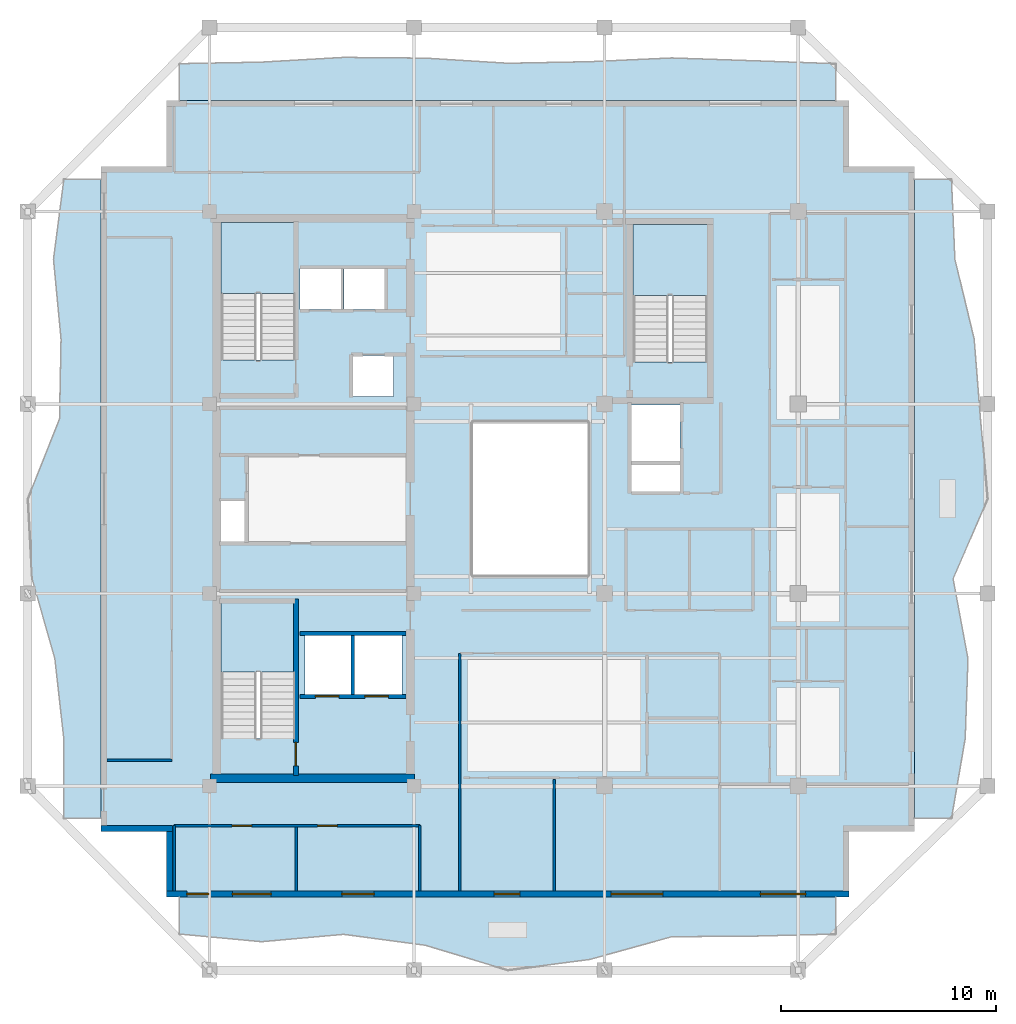
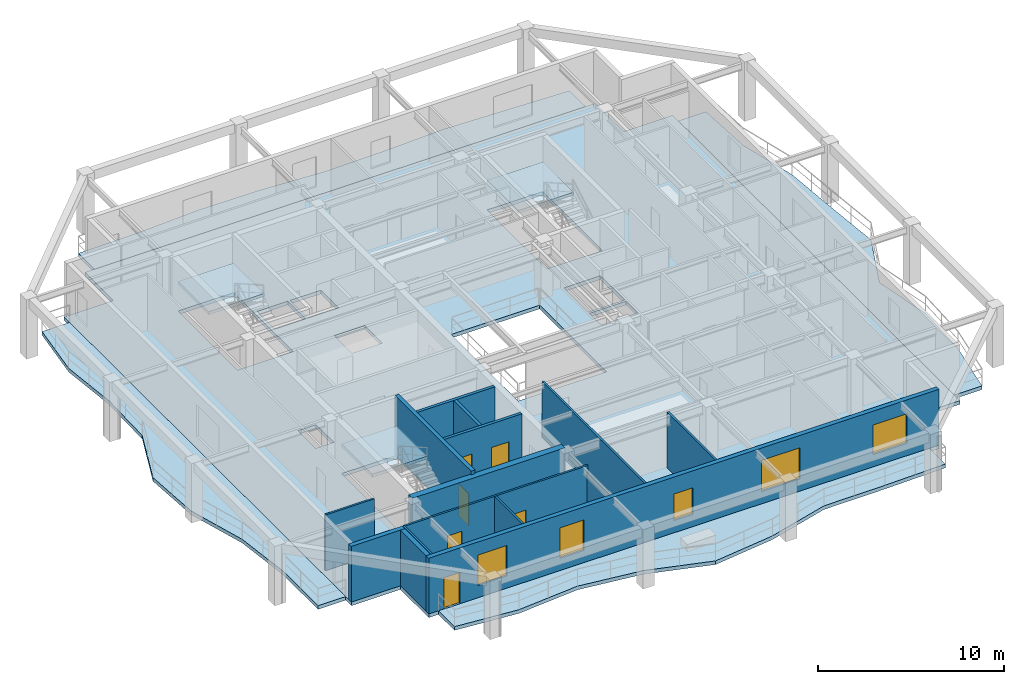
# One storey, part 2 of 10: 15 walls, 8 slabs, 6 doors, 5 windows, 11 openings, 3 elements without a shape of their own.
"""IFC4 building model written with IfcOpenShell, lengths in metres."""

from ifc_helpers import new_model, si_unit, direction, frame, frame_2d, origin, place, context, subcontext, project, spatial, polyline, rectangle, outline, extrude, material, layer, layer_set, type_object, element, fill, aggregate, save


model = new_model("IFC4")

# Units and contexts
model_context = context("Model", 3, precision=1e-05, world=origin(), true_north=direction((0.0, 1.0)))
body_context = subcontext(model_context, "Body", "Model", "MODEL_VIEW")
ifc_project = project(units=[si_unit("LENGTHUNIT", "METRE"), si_unit("AREAUNIT", "SQUARE_METRE"), si_unit("VOLUMEUNIT", "CUBIC_METRE"), si_unit("PLANEANGLEUNIT", "RADIAN"), si_unit("MASSUNIT", "GRAM", prefix="KILO")], contexts=[model_context])

# Site, building, storey
site_placement = place(None, origin())
site = spatial("IfcSite", under=ifc_project, at=site_placement, CompositionType="ELEMENT")
building_placement = place(site_placement, origin())
building = spatial("IfcBuilding", under=site, at=building_placement, Name="Kundavana Baori Tower", CompositionType="ELEMENT")
storey_placement = place(building_placement, frame((0.0, 0.0, 292.10009765625)))
storey = spatial("IfcBuildingStorey", under=building, at=storey_placement, Name="L72", CompositionType="ELEMENT", Elevation=292.10009765625)

# Slab
ifc_material_1 = material(Name="Concrete C40/50", Category="concrete")
ifc_layer_1 = layer(ifc_material_1, 0.239990234375, Name="SLB-FLR-240")
ifc_layer_set_1 = layer_set([ifc_layer_1], Name="Concrete C40/50")
slab_type_1 = type_object("IfcSlabType", Name="SLB-FLR-240", PredefinedType="FLOOR", material=ifc_layer_set_1)
slab_1_placement = place(storey_placement, frame((0.0, 0.0, -0.239990234375)))
element("IfcSlab", 1, at=slab_1_placement, inside=storey, type_object=slab_type_1, Name="L72 Structural Floor Slab", PredefinedType="FLOOR", context=body_context, shape_type="SweptSolid", body=[
    extrude(outline(polyline([(13.449951171875, 10.10009765625), (45.14990234375, 10.10009765625), (45.14990234375, 13.14990234375), (48.199951171875, 13.14990234375), (48.199951171875, 44.050048828125), (45.14990234375, 44.050048828125), (45.14990234375, 47.10009765625), (13.449951171875, 47.10009765625), (13.449951171875, 44.050048828125), (10.39990234375, 44.050048828125), (10.39990234375, 13.14990234375), (13.449951171875, 13.14990234375), (13.449951171875, 10.10009765625)]), holes=[polyline([(19.43994140625, 17.4619140625), (19.43994140625, 23.85009765625), (15.97998046875, 23.85009765625), (15.97998046875, 17.4619140625), (19.43994140625, 17.4619140625)]), polyline([(19.43994140625, 35.06201171875), (19.43994140625, 41.449951171875), (15.97998046875, 41.449951171875), (15.97998046875, 35.06201171875), (19.43994140625, 35.06201171875)]), polyline([(38.580078125, 34.9619140625), (38.580078125, 41.35009765625), (35.1201171875, 41.35009765625), (35.1201171875, 34.9619140625), (38.580078125, 34.9619140625)]), polyline([(19.64990234375, 37.39990234375), (21.550048828125, 37.39990234375), (21.550048828125, 39.300048828125), (19.64990234375, 39.300048828125), (19.64990234375, 37.39990234375)]), polyline([(21.699951171875, 37.39990234375), (23.60009765625, 37.39990234375), (23.60009765625, 39.300048828125), (21.699951171875, 39.300048828125), (21.699951171875, 37.39990234375)]), polyline([(22.10009765625, 33.35009765625), (24.0, 33.35009765625), (24.0, 35.25), (22.10009765625, 35.25), (22.10009765625, 33.35009765625)]), polyline([(19.8798828125, 19.5), (22.02001953125, 19.5), (22.02001953125, 22.25), (19.8798828125, 22.25), (19.8798828125, 19.5)]), polyline([(22.179931640625, 19.5), (24.3798828125, 19.5), (24.3798828125, 22.25), (22.179931640625, 22.25), (22.179931640625, 19.5)]), polyline([(35.050048828125, 30.35009765625), (37.300048828125, 30.35009765625), (37.300048828125, 32.949951171875), (35.050048828125, 32.949951171875), (35.050048828125, 30.35009765625)]), polyline([(15.949951171875, 26.60009765625), (17.080078125, 26.60009765625), (17.080078125, 28.5), (15.949951171875, 28.5), (15.949951171875, 26.60009765625)]), polyline([(35.050048828125, 28.949951171875), (37.300048828125, 28.949951171875), (37.300048828125, 30.199951171875), (35.050048828125, 30.199951171875), (35.050048828125, 28.949951171875)]), polyline([(27.60009765625, 25.0), (33.10009765625, 25.0), (33.10009765625, 32.199951171875), (27.60009765625, 32.199951171875), (27.60009765625, 25.0)])]), origin(), (0.0, 0.0, 1.0), 0.239990234375),
])

# Stair, slab
ifc_material_2 = material(Name="Concrete C40/50", Category="concrete")
stair_type = type_object("IfcStairType", Name="STR-DOG-1650", PredefinedType="HALF_TURN_STAIR", material=ifc_material_2)
stair_1_placement = place(storey_placement, origin())
stair_1 = element("IfcStair", 2, at=stair_1_placement, inside=storey, type_object=stair_type, Name="L72 Protected Exit Stair ST1", PredefinedType="HALF_TURN_STAIR")
ifc_material_3 = material(Name="Concrete C40/50", Category="concrete")
ifc_layer_2 = layer(ifc_material_3, 0.199951171875, Name="SLB-LND-200")
ifc_layer_set_2 = layer_set([ifc_layer_2], Name="Concrete C40/50")
slab_type_2 = type_object("IfcSlabType", Name="SLB-LND-200", PredefinedType="LANDING", material=ifc_layer_set_2)
slab_2_placement = place(storey_placement, frame((0.0, 0.0, 1.75)))
slab_2 = element("IfcSlab", 3, at=slab_2_placement, type_object=slab_type_2, Name="ST1 landing 1", PredefinedType="LANDING", context=body_context, shape_type="SweptSolid", body=[
    extrude(outline(polyline([(19.43994140625, 20.550048828125), (19.43994140625, 23.85009765625), (15.97998046875, 23.85009765625), (15.97998046875, 20.550048828125), (19.43994140625, 20.550048828125)])), origin(), (0.0, 0.0, 1.0), 0.199951171875),
])
aggregate(stair_1, [slab_2])

stair_2_placement = place(storey_placement, origin())
stair_2 = element("IfcStair", 4, at=stair_2_placement, inside=storey, type_object=stair_type, Name="L72 Protected Exit Stair ST2", PredefinedType="HALF_TURN_STAIR")
slab_3_placement = place(storey_placement, frame((0.0, 0.0, 1.75)))
slab_3 = element("IfcSlab", 5, at=slab_3_placement, type_object=slab_type_2, Name="ST2 landing 1", PredefinedType="LANDING", context=body_context, shape_type="SweptSolid", body=[
    extrude(outline(polyline([(19.43994140625, 38.14990234375), (19.43994140625, 41.449951171875), (15.97998046875, 41.449951171875), (15.97998046875, 38.14990234375), (19.43994140625, 38.14990234375)])), origin(), (0.0, 0.0, 1.0), 0.199951171875),
])
aggregate(stair_2, [slab_3])

stair_3_placement = place(storey_placement, origin())
stair_3 = element("IfcStair", 6, at=stair_3_placement, inside=storey, type_object=stair_type, Name="L72 Protected Exit Stair ST3", PredefinedType="HALF_TURN_STAIR")
slab_4_placement = place(storey_placement, frame((0.0, 0.0, 1.75)))
slab_4 = element("IfcSlab", 7, at=slab_4_placement, type_object=slab_type_2, Name="ST3 landing 1", PredefinedType="LANDING", context=body_context, shape_type="SweptSolid", body=[
    extrude(outline(polyline([(38.580078125, 38.050048828125), (38.580078125, 41.35009765625), (35.1201171875, 41.35009765625), (35.1201171875, 38.050048828125), (38.580078125, 38.050048828125)])), origin(), (0.0, 0.0, 1.0), 0.199951171875),
])
aggregate(stair_3, [slab_4])

# Slabs
ifc_material_4 = material(Name="Concrete C40/50", Category="concrete")
ifc_layer_3 = layer(ifc_material_4, 0.239990234375, Name="SLB-LOG-240")
ifc_layer_set_3 = layer_set([ifc_layer_3], Name="Concrete C40/50")
slab_type_3 = type_object("IfcSlabType", Name="SLB-LOG-240", PredefinedType="FLOOR", material=ifc_layer_set_3)
slab_5_placement = place(storey_placement, frame((0.0, 0.0, -0.239990234375)))
element("IfcSlab", 8, at=slab_5_placement, inside=storey, type_object=slab_type_3, Name="L72 Planted Loggia Balcony Slab S", PredefinedType="FLOOR", context=body_context, shape_type="SweptSolid", body=[
    extrude(outline(polyline([(14.050048828125, 10.10009765625), (44.550048828125, 10.10009765625), (44.550048828125, 8.3798828125), (40.737060546875, 8.282958984375), (36.925048828125, 8.2548828125), (33.112060546875, 7.197998046875), (29.300048828125, 6.699951171875), (25.487060546875, 7.85595703125), (21.675048828125, 8.365966796875), (17.863037109375, 8.02294921875), (14.050048828125, 8.3798828125), (14.050048828125, 10.10009765625)])), origin(), (0.0, 0.0, 1.0), 0.239990234375),
])
slab_6_placement = place(storey_placement, frame((0.0, 0.0, -0.239990234375)))
element("IfcSlab", 9, at=slab_6_placement, inside=storey, type_object=slab_type_3, Name="L72 Planted Loggia Balcony Slab E", PredefinedType="FLOOR", context=body_context, shape_type="SweptSolid", body=[
    extrude(outline(polyline([(48.199951171875, 13.75), (48.199951171875, 43.449951171875), (49.919921875, 43.449951171875), (50.0791015625, 39.738037109375), (50.97607421875, 36.02490234375), (51.26806640625, 32.31201171875), (51.60009765625, 28.60009765625), (49.99609375, 24.887939453125), (50.68798828125, 21.175048828125), (50.55908203125, 17.4619140625), (49.919921875, 13.75), (48.199951171875, 13.75)])), origin(), (0.0, 0.0, 1.0), 0.239990234375),
])
slab_7_placement = place(storey_placement, frame((0.0, 0.0, -0.239990234375)))
element("IfcSlab", 10, at=slab_7_placement, inside=storey, type_object=slab_type_3, Name="L72 Planted Loggia Balcony Slab N", PredefinedType="FLOOR", context=body_context, shape_type="SweptSolid", body=[
    extrude(outline(polyline([(44.550048828125, 47.10009765625), (14.050048828125, 47.10009765625), (14.050048828125, 48.820068359375), (17.863037109375, 48.89208984375), (21.675048828125, 49.113037109375), (25.487060546875, 49.076904296875), (29.300048828125, 48.840087890625), (33.112060546875, 48.912109375), (36.925048828125, 49.0859375), (40.737060546875, 48.9560546875), (44.550048828125, 48.820068359375), (44.550048828125, 47.10009765625)])), origin(), (0.0, 0.0, 1.0), 0.239990234375),
])
slab_8_placement = place(storey_placement, frame((0.0, 0.0, -0.239990234375)))
element("IfcSlab", 11, at=slab_8_placement, inside=storey, type_object=slab_type_3, Name="L72 Planted Loggia Balcony Slab W", PredefinedType="FLOOR", context=body_context, shape_type="SweptSolid", body=[
    extrude(outline(polyline([(10.39990234375, 43.449951171875), (10.39990234375, 13.75), (8.679931640625, 13.75), (8.676025390625, 17.4619140625), (8.260009765625, 21.175048828125), (7.2041015625, 24.887939453125), (7.0, 28.60009765625), (8.47607421875, 32.31201171875), (8.548095703125, 36.02490234375), (8.196044921875, 39.738037109375), (8.679931640625, 43.449951171875), (10.39990234375, 43.449951171875)])), origin(), (0.0, 0.0, 1.0), 0.239990234375),
])

# Wall
ifc_material_5 = material(Name="Concrete C50/60", Category="concrete")
ifc_layer_4 = layer(ifc_material_5, 0.39990234375, Name="WL-CORE-400")
ifc_layer_set_4 = layer_set([ifc_layer_4], Name="Concrete C50/60")
wall_type_1 = type_object("IfcWallType", Name="WL-CORE-400", PredefinedType="SHEAR", material=ifc_layer_set_4)
wall_1_placement = place(storey_placement, frame((15.5, 15.610107421875, 0.0), z_axis=(0.0, 0.0, 1.0), x_axis=(1.0, 0.0, 0.0)))
element("IfcWall", 12, at=wall_1_placement, inside=storey, type_object=wall_type_1, Name="L72 Offset Core South Shear Wall", PredefinedType="SHEAR", context=body_context, shape_type="SweptSolid", body=[
    extrude(rectangle(XDim=9.47998046875, YDim=0.39990234375, at=frame_2d((4.739990234375, 0.0))), origin(), (0.0, 0.0, 1.0), 3.659912109375),
])

# Wall, opening, door
wall_2_placement = place(storey_placement, frame((19.4599609375, 15.739990234375, 0.0), z_axis=(0.0, 0.0, 1.0), x_axis=(0.0, 1.0, 0.0)))
wall_2 = element("IfcWall", 13, at=wall_2_placement, inside=storey, type_object=wall_type_1, Name="WL-L72-ST1-E", PredefinedType="SHEAR", context=body_context, shape_type="SweptSolid", body=[
    extrude(rectangle(XDim=8.199951171875, YDim=0.239990234375, at=frame_2d((4.10009765625, 0.0))), origin(), (0.0, 0.0, 1.0), 3.89990234375),
])
opening_1_placement = place(wall_2_placement, frame((0.449951171875, 0.0, 0.0)))
opening_1 = element("IfcOpeningElement", 14, at=opening_1_placement, cuts=wall_2, Name="Opening FD-110", PredefinedType="OPENING", context=body_context, shape_type="SweptSolid", body=[
    extrude(rectangle(XDim=1.10009765625, YDim=2.10009765625, at=frame_2d((0.550048828125, 1.050048828125))), frame((0.0, 0.1298828125, 0.0), z_axis=(0.0, -1.0, 0.0), x_axis=(1.0, 0.0, 0.0)), (0.0, 0.0, 1.0), 0.260009765625),
])
ifc_material_6 = material(Name="Galvanised Steel Fire-Rated Door Leaf", Category="steel")
door_type_1 = type_object("IfcDoorType", Name="DR-FD120-1100", OperationType="NOTDEFINED", PredefinedType="DOOR", material=ifc_material_6)
door_1_placement = place(opening_1_placement, origin())
door_1 = element("IfcDoor", 15, at=door_1_placement, inside=storey, type_object=door_type_1, Name="DR-L72-ST1", OperationType="SINGLE_SWING_LEFT", OverallHeight=2.10009765625, OverallWidth=1.10009765625, PredefinedType="DOOR", context=body_context, shape_type="SweptSolid", body=[
    extrude(rectangle(XDim=1.10009765625, YDim=2.10009765625, at=frame_2d((0.550048828125, 1.050048828125))), frame((0.0, 0.02490234375, 0.0), z_axis=(0.0, -1.0, 0.0), x_axis=(1.0, 0.0, 0.0)), (0.0, 0.0, 1.0), 0.050048828125),
])
fill(opening_1, door_1)

# Wall, openings, door, windows
ifc_material_7 = material(Name="Red-Buff Dholpur Sandstone Cladding on Concrete C40/50", Category="masonry")
ifc_layer_5 = layer(ifc_material_7, 0.280029296875, Name="WL-EXT-SAND-280")
ifc_layer_set_5 = layer_set([ifc_layer_5], Name="Red-Buff Dholpur Sandstone Cladding on Concrete C40/50")
wall_type_2 = type_object("IfcWallType", Name="WL-EXT-SAND-280", PredefinedType="STANDARD", material=ifc_layer_set_5)
wall_3_placement = place(storey_placement, frame((13.449951171875, 10.239990234375, 0.0), z_axis=(0.0, 0.0, 1.0), x_axis=(1.0, 0.0, 0.0)))
wall_3 = element("IfcWall", 16, at=wall_3_placement, inside=storey, type_object=wall_type_2, Name="L72 Exterior Insulated Facade Wall 01", PredefinedType="STANDARD", context=body_context, shape_type="SweptSolid", body=[
    extrude(rectangle(XDim=31.699951171875, YDim=0.280029296875, at=frame_2d((15.85009765625, 0.0))), origin(), (0.0, 0.0, 1.0), 3.659912109375),
])
opening_2_placement = place(wall_3_placement, frame((0.949951171875, 0.0, 0.0)))
opening_2 = element("IfcOpeningElement", 17, at=opening_2_placement, cuts=wall_3, Name="Opening BD-1", PredefinedType="OPENING", context=body_context, shape_type="SweptSolid", body=[
    extrude(rectangle(XDim=1.0, YDim=2.050048828125, at=frame_2d((0.5, 1.02490234375))), frame((0.0, 0.14990234375, 0.0), z_axis=(0.0, -1.0, 0.0), x_axis=(1.0, 0.0, 0.0)), (0.0, 0.0, 1.0), 0.300048828125),
])
opening_3_placement = place(wall_3_placement, frame((3.06005859375, 0.0, 0.800048828125)))
opening_3 = element("IfcOpeningElement", 18, at=opening_3_placement, cuts=wall_3, Name="Opening W-01", PredefinedType="OPENING", context=body_context, shape_type="SweptSolid", body=[
    extrude(rectangle(XDim=1.800048828125, YDim=2.0, at=frame_2d((0.89990234375, 1.0))), frame((0.0, 0.14990234375, 0.0), z_axis=(0.0, -1.0, 0.0), x_axis=(1.0, 0.0, 0.0)), (0.0, 0.0, 1.0), 0.300048828125),
])
opening_4_placement = place(wall_3_placement, frame((8.14501953125, 0.0, 0.800048828125)))
opening_4 = element("IfcOpeningElement", 19, at=opening_4_placement, cuts=wall_3, Name="Opening W-02", PredefinedType="OPENING", context=body_context, shape_type="SweptSolid", body=[
    extrude(rectangle(XDim=1.5, YDim=2.0, at=frame_2d((0.75, 1.0))), frame((0.0, 0.14990234375, 0.0), z_axis=(0.0, -1.0, 0.0), x_axis=(1.0, 0.0, 0.0)), (0.0, 0.0, 1.0), 0.300048828125),
])
opening_5_placement = place(wall_3_placement, frame((15.222900390625, 0.0, 0.800048828125)))
opening_5 = element("IfcOpeningElement", 20, at=opening_5_placement, cuts=wall_3, Name="Opening W-03", PredefinedType="OPENING", context=body_context, shape_type="SweptSolid", body=[
    extrude(rectangle(XDim=1.199951171875, YDim=1.75, at=frame_2d((0.60009765625, 0.875))), frame((0.0, 0.14990234375, 0.0), z_axis=(0.0, -1.0, 0.0), x_axis=(1.0, 0.0, 0.0)), (0.0, 0.0, 1.0), 0.300048828125),
])
opening_6_placement = place(wall_3_placement, frame((20.657958984375, 0.0, 0.800048828125)))
opening_6 = element("IfcOpeningElement", 21, at=opening_6_placement, cuts=wall_3, Name="Opening W-04", PredefinedType="OPENING", context=body_context, shape_type="SweptSolid", body=[
    extrude(rectangle(XDim=2.39990234375, YDim=2.050048828125, at=frame_2d((1.199951171875, 1.02490234375))), frame((0.0, 0.14990234375, 0.0), z_axis=(0.0, -1.0, 0.0), x_axis=(1.0, 0.0, 0.0)), (0.0, 0.0, 1.0), 0.300048828125),
])
opening_7_placement = place(wall_3_placement, frame((27.594970703125, 0.0, 0.800048828125)))
opening_7 = element("IfcOpeningElement", 22, at=opening_7_placement, cuts=wall_3, Name="Opening W-05", PredefinedType="OPENING", context=body_context, shape_type="SweptSolid", body=[
    extrude(rectangle(XDim=2.10009765625, YDim=1.949951171875, at=frame_2d((1.050048828125, 0.97509765625))), frame((0.0, 0.14990234375, 0.0), z_axis=(0.0, -1.0, 0.0), x_axis=(1.0, 0.0, 0.0)), (0.0, 0.0, 1.0), 0.300048828125),
])
ifc_material_8 = material(Name="Architectural Patinated Bronze Metalwork")
door_type_2 = type_object("IfcDoorType", Name="DR-EXT-LOG-1000", OperationType="NOTDEFINED", PredefinedType="DOOR", material=ifc_material_8)
door_2_placement = place(opening_2_placement, frame((1.0, 0.0, 0.0), z_axis=(0.0, 0.0, 1.0), x_axis=(-1.0, 0.0, 0.0)))
door_2 = element("IfcDoor", 23, at=door_2_placement, inside=storey, type_object=door_type_2, Name="L72 Loggia Balcony Access Door S", OperationType="SINGLE_SWING_LEFT", OverallHeight=2.050048828125, OverallWidth=1.0, PredefinedType="DOOR", context=body_context, shape_type="SweptSolid", body=[
    extrude(rectangle(XDim=1.0, YDim=2.050048828125, at=frame_2d((0.5, 1.02490234375))), frame((0.0, 0.02490234375, 0.0), z_axis=(0.0, -1.0, 0.0), x_axis=(1.0, 0.0, 0.0)), (0.0, 0.0, 1.0), 0.050048828125),
])
fill(opening_2, door_2)
ifc_material_9 = material(Name="Double-Glazed Solar-Control Low-E Insulated Glass", Category="glass")
window_type_1 = type_object("IfcWindowType", Name="WIN-LOG-1200x1750", PartitioningType="SINGLE_PANEL", PredefinedType="WINDOW", material=ifc_material_9)
window_1_placement = place(opening_5_placement, origin())
window_1 = element("IfcWindow", 24, at=window_1_placement, inside=storey, type_object=window_type_1, Name="L72 Recessed Loggia Window S-3", OverallHeight=1.75, OverallWidth=1.199951171875, PartitioningType="SINGLE_PANEL", PredefinedType="WINDOW", context=body_context, shape_type="SweptSolid", body=[
    extrude(rectangle(XDim=1.199951171875, YDim=1.75, at=frame_2d((0.60009765625, 0.875))), frame((0.0, 0.030029296875, 0.0), z_axis=(0.0, -1.0, 0.0), x_axis=(1.0, 0.0, 0.0)), (0.0, 0.0, 1.0), 0.06005859375),
])
fill(opening_5, window_1)
ifc_material_10 = material(Name="Double-Glazed Solar-Control Low-E Insulated Glass", Category="glass")
window_type_2 = type_object("IfcWindowType", Name="WIN-LOG-1500x2000", PartitioningType="SINGLE_PANEL", PredefinedType="WINDOW", material=ifc_material_10)
window_2_placement = place(opening_4_placement, origin())
window_2 = element("IfcWindow", 25, at=window_2_placement, inside=storey, type_object=window_type_2, Name="L72 Recessed Loggia Window S-2", OverallHeight=2.0, OverallWidth=1.5, PartitioningType="SINGLE_PANEL", PredefinedType="WINDOW", context=body_context, shape_type="SweptSolid", body=[
    extrude(rectangle(XDim=1.5, YDim=2.0, at=frame_2d((0.75, 1.0))), frame((0.0, 0.030029296875, 0.0), z_axis=(0.0, -1.0, 0.0), x_axis=(1.0, 0.0, 0.0)), (0.0, 0.0, 1.0), 0.06005859375),
])
fill(opening_4, window_2)
ifc_material_11 = material(Name="Double-Glazed Solar-Control Low-E Insulated Glass", Category="glass")
window_type_3 = type_object("IfcWindowType", Name="WIN-LOG-1800x2000", PartitioningType="SINGLE_PANEL", PredefinedType="WINDOW", material=ifc_material_11)
window_3_placement = place(opening_3_placement, origin())
window_3 = element("IfcWindow", 26, at=window_3_placement, inside=storey, type_object=window_type_3, Name="L72 Recessed Loggia Window S-1", OverallHeight=2.0, OverallWidth=1.800048828125, PartitioningType="SINGLE_PANEL", PredefinedType="WINDOW", context=body_context, shape_type="SweptSolid", body=[
    extrude(rectangle(XDim=1.800048828125, YDim=2.0, at=frame_2d((0.89990234375, 1.0))), frame((0.0, 0.030029296875, 0.0), z_axis=(0.0, -1.0, 0.0), x_axis=(1.0, 0.0, 0.0)), (0.0, 0.0, 1.0), 0.06005859375),
])
fill(opening_3, window_3)
ifc_material_12 = material(Name="Double-Glazed Solar-Control Low-E Insulated Glass", Category="glass")
window_type_4 = type_object("IfcWindowType", Name="WIN-LOG-2100x1950", PartitioningType="SINGLE_PANEL", PredefinedType="WINDOW", material=ifc_material_12)
window_4_placement = place(opening_7_placement, origin())
window_4 = element("IfcWindow", 27, at=window_4_placement, inside=storey, type_object=window_type_4, Name="L72 Recessed Loggia Window S-5", OverallHeight=1.949951171875, OverallWidth=2.10009765625, PartitioningType="SINGLE_PANEL", PredefinedType="WINDOW", context=body_context, shape_type="SweptSolid", body=[
    extrude(rectangle(XDim=2.10009765625, YDim=1.949951171875, at=frame_2d((1.050048828125, 0.97509765625))), frame((0.0, 0.030029296875, 0.0), z_axis=(0.0, -1.0, 0.0), x_axis=(1.0, 0.0, 0.0)), (0.0, 0.0, 1.0), 0.06005859375),
])
fill(opening_7, window_4)
ifc_material_13 = material(Name="Double-Glazed Solar-Control Low-E Insulated Glass", Category="glass")
window_type_5 = type_object("IfcWindowType", Name="WIN-LOG-2400x2050", PartitioningType="SINGLE_PANEL", PredefinedType="WINDOW", material=ifc_material_13)
window_5_placement = place(opening_6_placement, origin())
window_5 = element("IfcWindow", 28, at=window_5_placement, inside=storey, type_object=window_type_5, Name="L72 Recessed Loggia Window S-4", OverallHeight=2.050048828125, OverallWidth=2.39990234375, PartitioningType="SINGLE_PANEL", PredefinedType="WINDOW", context=body_context, shape_type="SweptSolid", body=[
    extrude(rectangle(XDim=2.39990234375, YDim=2.050048828125, at=frame_2d((1.199951171875, 1.02490234375))), frame((0.0, 0.030029296875, 0.0), z_axis=(0.0, -1.0, 0.0), x_axis=(1.0, 0.0, 0.0)), (0.0, 0.0, 1.0), 0.06005859375),
])
fill(opening_6, window_5)

# Walls
wall_4_placement = place(storey_placement, frame((10.39990234375, 13.2900390625, 0.0), z_axis=(0.0, 0.0, 1.0), x_axis=(1.0, 0.0, 0.0)))
element("IfcWall", 29, at=wall_4_placement, inside=storey, type_object=wall_type_2, Name="L72 Exterior Insulated Facade Wall 11", PredefinedType="STANDARD", context=body_context, shape_type="SweptSolid", body=[
    extrude(rectangle(XDim=3.330078125, YDim=0.280029296875, at=frame_2d((1.6650390625, 0.0))), origin(), (0.0, 0.0, 1.0), 3.659912109375),
])
wall_5_placement = place(storey_placement, frame((13.590087890625, 13.14990234375, 0.0), z_axis=(0.0, 0.0, 1.0), x_axis=(0.0, -1.0, 0.0)))
element("IfcWall", 30, at=wall_5_placement, inside=storey, type_object=wall_type_2, Name="L72 Exterior Insulated Facade Wall 12", PredefinedType="STANDARD", context=body_context, shape_type="SweptSolid", body=[
    extrude(rectangle(XDim=2.77001953125, YDim=0.280029296875, at=frame_2d((1.385009765625, 0.0))), origin(), (0.0, 0.0, 1.0), 3.659912109375),
])
ifc_material_14 = material(Name="Acoustic Gypsum Plasterboard on Galvanised Steel Studs", Category="steel")
ifc_layer_6 = layer(ifc_material_14, 0.1201171875, Name="WL-PART-120")
ifc_layer_set_6 = layer_set([ifc_layer_6], Name="Acoustic Gypsum Plasterboard on Galvanised Steel Studs")
wall_type_3 = type_object("IfcWallType", Name="WL-PART-120", PredefinedType="PARTITIONING", material=ifc_layer_set_6)
wall_6_placement = place(storey_placement, frame((27.080078125, 10.3798828125, 0.0), z_axis=(0.0, 0.0, 1.0), x_axis=(0.0, 1.0, 0.0)))
element("IfcWall", 31, at=wall_6_placement, inside=storey, type_object=wall_type_3, Name="WL-L72-RSW", PredefinedType="PARTITIONING", context=body_context, shape_type="SweptSolid", body=[
    extrude(rectangle(XDim=11.0400390625, YDim=0.1201171875, at=frame_2d((5.52001953125, 0.0))), origin(), (0.0, 0.0, 1.0), 3.659912109375),
])

# Wall, openings, doors
wall_7_placement = place(storey_placement, frame((13.800048828125, 13.419921875, 0.0), z_axis=(0.0, 0.0, 1.0), x_axis=(1.0, 0.0, 0.0)))
wall_7 = element("IfcWall", 32, at=wall_7_placement, inside=storey, type_object=wall_type_3, Name="WL-L72-RSC", PredefinedType="PARTITIONING", context=body_context, shape_type="SweptSolid", body=[
    extrude(rectangle(XDim=11.419921875, YDim=0.1201171875, at=frame_2d((5.7099609375, 0.0))), origin(), (0.0, 0.0, 1.0), 3.659912109375),
])
opening_8_placement = place(wall_7_placement, frame((2.699951171875, 0.0, 0.0)))
opening_8 = element("IfcOpeningElement", 33, at=opening_8_placement, cuts=wall_7, Name="Opening ID-090", PredefinedType="OPENING", context=body_context, shape_type="SweptSolid", body=[
    extrude(rectangle(XDim=0.89990234375, YDim=2.080078125, at=frame_2d((0.449951171875, 1.0400390625))), frame((0.0, 0.070068359375, 0.0), z_axis=(0.0, -1.0, 0.0), x_axis=(1.0, 0.0, 0.0)), (0.0, 0.0, 1.0), 0.14013671875),
])
opening_9_placement = place(wall_7_placement, frame((6.669921875, 0.0, 0.0)))
opening_9 = element("IfcOpeningElement", 34, at=opening_9_placement, cuts=wall_7, Name="Opening ID-090", PredefinedType="OPENING", context=body_context, shape_type="SweptSolid", body=[
    extrude(rectangle(XDim=0.89990234375, YDim=2.080078125, at=frame_2d((0.449951171875, 1.0400390625))), frame((0.0, 0.070068359375, 0.0), z_axis=(0.0, -1.0, 0.0), x_axis=(1.0, 0.0, 0.0)), (0.0, 0.0, 1.0), 0.14013671875),
])
ifc_material_15 = material(Name="Engineered Teak Solid-Core Timber Veneer", Category="wood")
door_type_3 = type_object("IfcDoorType", Name="DR-INT-900", OperationType="NOTDEFINED", PredefinedType="DOOR", material=ifc_material_15)
door_3_placement = place(opening_8_placement, frame((0.89990234375, 0.0, 0.0), z_axis=(0.0, 0.0, 1.0), x_axis=(-1.0, 0.0, 0.0)))
door_3 = element("IfcDoor", 35, at=door_3_placement, inside=storey, type_object=door_type_3, Name="DR-L72-RMSW1", OperationType="SINGLE_SWING_LEFT", OverallHeight=2.080078125, OverallWidth=0.89990234375, PredefinedType="DOOR", context=body_context, shape_type="SweptSolid", body=[
    extrude(rectangle(XDim=0.89990234375, YDim=2.080078125, at=frame_2d((0.449951171875, 1.0400390625))), frame((0.0, 0.02490234375, 0.0), z_axis=(0.0, -1.0, 0.0), x_axis=(1.0, 0.0, 0.0)), (0.0, 0.0, 1.0), 0.050048828125),
])
fill(opening_8, door_3)
door_4_placement = place(opening_9_placement, frame((0.89990234375, 0.0, 0.0), z_axis=(0.0, 0.0, 1.0), x_axis=(-1.0, 0.0, 0.0)))
door_4 = element("IfcDoor", 36, at=door_4_placement, inside=storey, type_object=door_type_3, Name="DR-L72-RMSW2", OperationType="SINGLE_SWING_RIGHT", OverallHeight=2.080078125, OverallWidth=0.89990234375, PredefinedType="DOOR", context=body_context, shape_type="SweptSolid", body=[
    extrude(rectangle(XDim=0.89990234375, YDim=2.080078125, at=frame_2d((0.449951171875, 1.0400390625))), frame((0.0, 0.02490234375, 0.0), z_axis=(0.0, -1.0, 0.0), x_axis=(1.0, 0.0, 0.0)), (0.0, 0.0, 1.0), 0.050048828125),
])
fill(opening_9, door_4)

# Walls
wall_8_placement = place(storey_placement, frame((13.800048828125, 10.3798828125, 0.0), z_axis=(0.0, 0.0, 1.0), x_axis=(0.0, 1.0, 0.0)))
element("IfcWall", 37, at=wall_8_placement, inside=storey, type_object=wall_type_3, Name="WL-L72-RSCW", PredefinedType="PARTITIONING", context=body_context, shape_type="SweptSolid", body=[
    extrude(rectangle(XDim=3.0400390625, YDim=0.1201171875, at=frame_2d((1.52001953125, 0.0))), origin(), (0.0, 0.0, 1.0), 3.659912109375),
])
wall_9_placement = place(storey_placement, frame((25.219970703125, 10.3798828125, 0.0), z_axis=(0.0, 0.0, 1.0), x_axis=(0.0, 1.0, 0.0)))
element("IfcWall", 38, at=wall_9_placement, inside=storey, type_object=wall_type_3, Name="WL-L72-RSCE", PredefinedType="PARTITIONING", context=body_context, shape_type="SweptSolid", body=[
    extrude(rectangle(XDim=3.0400390625, YDim=0.1201171875, at=frame_2d((1.52001953125, 0.0))), origin(), (0.0, 0.0, 1.0), 3.2099609375),
])
wall_10_placement = place(storey_placement, frame((19.469970703125, 10.3798828125, 0.0), z_axis=(0.0, 0.0, 1.0), x_axis=(0.0, 1.0, 0.0)))
element("IfcWall", 39, at=wall_10_placement, inside=storey, type_object=wall_type_3, Name="WL-L72-RSCD", PredefinedType="PARTITIONING", context=body_context, shape_type="SweptSolid", body=[
    extrude(rectangle(XDim=2.980224609375, YDim=0.1201171875, at=frame_2d((1.490234375, 0.0))), origin(), (0.0, 0.0, 1.0), 3.659912109375),
])
wall_11_placement = place(storey_placement, frame((10.679931640625, 16.449951171875, 0.0), z_axis=(0.0, 0.0, 1.0), x_axis=(1.0, 0.0, 0.0)))
element("IfcWall", 40, at=wall_11_placement, inside=storey, type_object=wall_type_3, Name="WL-L72-RWS", PredefinedType="PARTITIONING", context=body_context, shape_type="SweptSolid", body=[
    extrude(rectangle(XDim=3.02001953125, YDim=0.1201171875, at=frame_2d((1.510009765625, 0.0))), origin(), (0.0, 0.0, 1.0), 3.659912109375),
])
wall_12_placement = place(storey_placement, frame((31.465087890625, 10.3798828125, 0.0), z_axis=(0.0, 0.0, 1.0), x_axis=(0.0, 1.0, 0.0)))
element("IfcWall", 41, at=wall_12_placement, inside=storey, type_object=wall_type_3, Name="WL-L72-S1-BDV", PredefinedType="PARTITIONING", context=body_context, shape_type="SweptSolid", body=[
    extrude(rectangle(XDim=5.18115234375, YDim=0.1201171875, at=frame_2d((2.590576171875, 0.0))), origin(), (0.0, 0.0, 1.0), 3.659912109375),
])

# Wall, openings, doors
ifc_material_16 = material(Name="Autoclaved Aerated Concrete Blockwork Masonry", Category="masonry")
ifc_layer_7 = layer(ifc_material_16, 0.179931640625, Name="WL-SHAFT-180")
ifc_layer_set_7 = layer_set([ifc_layer_7], Name="Autoclaved Aerated Concrete Blockwork Masonry")
wall_type_4 = type_object("IfcWallType", Name="WL-SHAFT-180", PredefinedType="SOLIDWALL", material=ifc_layer_set_7)
wall_13_placement = place(storey_placement, frame((19.639892578125, 19.419921875, 0.0), z_axis=(0.0, 0.0, 1.0), x_axis=(1.0, 0.0, 0.0)))
wall_13 = element("IfcWall", 42, at=wall_13_placement, inside=storey, type_object=wall_type_4, Name="WL-L72-FFL-S", PredefinedType="SOLIDWALL", context=body_context, shape_type="SweptSolid", body=[
    extrude(rectangle(XDim=4.940185546875, YDim=0.179931640625, at=frame_2d((2.47021484375, 0.0))), origin(), (0.0, 0.0, 1.0), 3.659912109375),
])
opening_10_placement = place(wall_13_placement, frame((0.719970703125, 0.0, 0.0)))
opening_10 = element("IfcOpeningElement", 43, at=opening_10_placement, cuts=wall_13, Name="Opening LD-110", PredefinedType="OPENING", context=body_context, shape_type="SweptSolid", body=[
    extrude(rectangle(XDim=1.10009765625, YDim=2.10009765625, at=frame_2d((0.550048828125, 1.050048828125))), frame((0.0, 0.10009765625, 0.0), z_axis=(0.0, -1.0, 0.0), x_axis=(1.0, 0.0, 0.0)), (0.0, 0.0, 1.0), 0.199951171875),
])
opening_11_placement = place(wall_13_placement, frame((3.02001953125, 0.0, 0.0)))
opening_11 = element("IfcOpeningElement", 44, at=opening_11_placement, cuts=wall_13, Name="Opening LD-110", PredefinedType="OPENING", context=body_context, shape_type="SweptSolid", body=[
    extrude(rectangle(XDim=1.10009765625, YDim=2.10009765625, at=frame_2d((0.550048828125, 1.050048828125))), frame((0.0, 0.10009765625, 0.0), z_axis=(0.0, -1.0, 0.0), x_axis=(1.0, 0.0, 0.0)), (0.0, 0.0, 1.0), 0.199951171875),
])
ifc_material_17 = material(Name="Galvanised Steel Fire-Rated Door Leaf", Category="steel")
door_type_4 = type_object("IfcDoorType", Name="DR-SLIDE-LD1100", OperationType="NOTDEFINED", PredefinedType="DOOR", material=ifc_material_17)
door_5_placement = place(opening_10_placement, origin())
door_5 = element("IfcDoor", 45, at=door_5_placement, inside=storey, type_object=door_type_4, Name="DR-L72-LD-FFL-1", OperationType="DOUBLE_DOOR_SLIDING", OverallHeight=2.10009765625, OverallWidth=1.10009765625, PredefinedType="DOOR", context=body_context, shape_type="SweptSolid", body=[
    extrude(rectangle(XDim=1.10009765625, YDim=2.10009765625, at=frame_2d((0.550048828125, 1.050048828125))), frame((0.0, 0.02490234375, 0.0), z_axis=(0.0, -1.0, 0.0), x_axis=(1.0, 0.0, 0.0)), (0.0, 0.0, 1.0), 0.050048828125),
])
fill(opening_10, door_5)
door_6_placement = place(opening_11_placement, origin())
door_6 = element("IfcDoor", 46, at=door_6_placement, inside=storey, type_object=door_type_4, Name="DR-L72-LD-FFL-2", OperationType="DOUBLE_DOOR_SLIDING", OverallHeight=2.10009765625, OverallWidth=1.10009765625, PredefinedType="DOOR", context=body_context, shape_type="SweptSolid", body=[
    extrude(rectangle(XDim=1.10009765625, YDim=2.10009765625, at=frame_2d((0.550048828125, 1.050048828125))), frame((0.0, 0.02490234375, 0.0), z_axis=(0.0, -1.0, 0.0), x_axis=(1.0, 0.0, 0.0)), (0.0, 0.0, 1.0), 0.050048828125),
])
fill(opening_11, door_6)

# Walls
wall_14_placement = place(storey_placement, frame((22.10009765625, 19.510009765625, 0.0), z_axis=(0.0, 0.0, 1.0), x_axis=(0.0, 1.0, 0.0)))
element("IfcWall", 47, at=wall_14_placement, inside=storey, type_object=wall_type_4, Name="WL-L72-FFL-MID", PredefinedType="SOLIDWALL", context=body_context, shape_type="SweptSolid", body=[
    extrude(rectangle(XDim=2.739990234375, YDim=0.179931640625, at=frame_2d((1.3701171875, 0.0))), origin(), (0.0, 0.0, 1.0), 3.659912109375),
])
wall_15_placement = place(storey_placement, frame((19.639892578125, 22.340087890625, 0.0), z_axis=(0.0, 0.0, 1.0), x_axis=(1.0, 0.0, 0.0)))
element("IfcWall", 48, at=wall_15_placement, inside=storey, type_object=wall_type_4, Name="WL-L72-FFL-N", PredefinedType="SOLIDWALL", context=body_context, shape_type="SweptSolid", body=[
    extrude(rectangle(XDim=4.940185546875, YDim=0.179931640625, at=frame_2d((2.47021484375, 0.0))), origin(), (0.0, 0.0, 1.0), 3.659912109375),
])

save(model, "model.ifc")
